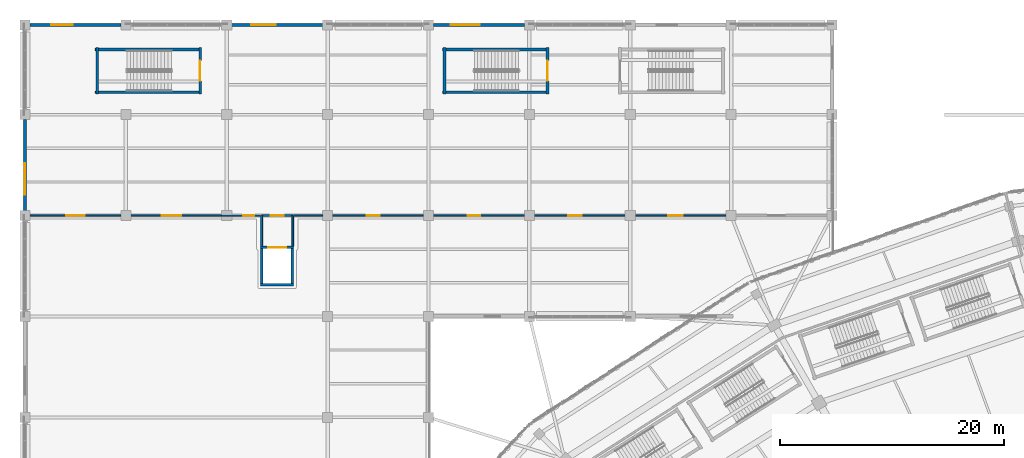
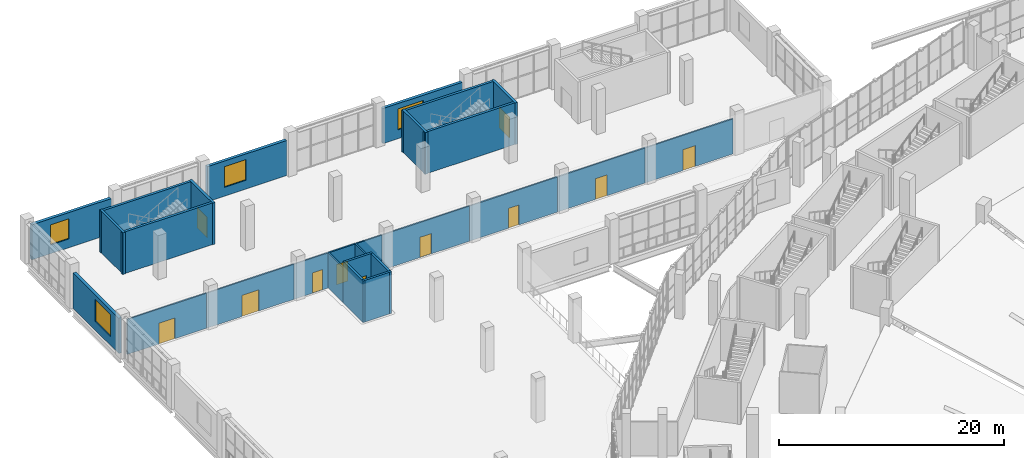
# One storey, part 108 of 183: 27 walls, 11 doors, 4 windows, 15 openings.
"""IFC4 building model written with IfcOpenShell, lengths in metres."""

from ifc_helpers import new_model, si_unit, direction, frame, frame_2d, origin, place, context, subcontext, project, spatial, rectangle, extrude, material, layer, layer_set, type_object, element, fill, save


model = new_model("IFC4")

# Units and contexts
model_context = context("Model", 3, precision=1e-05, world=origin(), true_north=direction((0.0, 1.0)))
body_context = subcontext(model_context, "Body", "Model", "MODEL_VIEW")
ifc_project = project(units=[si_unit("LENGTHUNIT", "METRE"), si_unit("AREAUNIT", "SQUARE_METRE"), si_unit("VOLUMEUNIT", "CUBIC_METRE"), si_unit("PLANEANGLEUNIT", "RADIAN"), si_unit("MASSUNIT", "GRAM", prefix="KILO")], contexts=[model_context])

# Site, building, storey
site_placement = place(None, origin())
site = spatial("IfcSite", under=ifc_project, at=site_placement, CompositionType="ELEMENT")
building_placement = place(site_placement, origin())
building = spatial("IfcBuilding", under=site, at=building_placement, Name="Zevraka Park Crest Stadium", CompositionType="ELEMENT")
storey_placement = place(building_placement, frame((0.0, 0.0, 5.39990234375)))
storey = spatial("IfcBuildingStorey", under=building, at=storey_placement, Name="L01", CompositionType="ELEMENT", Elevation=5.39990234375)

# Wall, opening, window
ifc_material_1 = material(Name="Limestone and red clay brick masonry", Category="masonry")
ifc_layer_1 = layer(ifc_material_1, 0.300048828125)
ifc_layer_set_1 = layer_set([ifc_layer_1], Name="Limestone and red clay brick masonry")
wall_type_1 = type_object("IfcWallType", Name="EW02", PredefinedType="STANDARD", material=ifc_layer_set_1)
wall_1_placement = place(storey_placement, frame((0.0, 167.425048828125, 0.0), z_axis=(0.0, 0.0, 1.0), x_axis=(0.0, 1.0, 0.0)))
wall_1 = element("IfcWall", 1, at=wall_1_placement, inside=storey, type_object=wall_type_1, Name="Wing External Cavity Wall EW02 L01-NW-W-7", PredefinedType="STANDARD", context=body_context, shape_type="SweptSolid", body=[
    extrude(rectangle(XDim=8.14990234375, YDim=0.300048828125, at=frame_2d((4.074951171875, 0.0))), origin(), (0.0, 0.0, 1.0), 3.837158203125),
])
opening_1_placement = place(wall_1_placement, frame((1.451904296875, 0.0, 0.949951171875)))
opening_1 = element("IfcOpeningElement", 2, at=opening_1_placement, cuts=wall_1, Name="Opening WN30", PredefinedType="OPENING", context=body_context, shape_type="SweptSolid", body=[
    extrude(rectangle(XDim=2.800048828125, YDim=2.39990234375, at=frame_2d((1.39990234375, 1.199951171875))), frame((0.0, 0.159912109375, 0.0), z_axis=(0.0, -1.0, 0.0), x_axis=(1.0, 0.0, 0.0)), (0.0, 0.0, 1.0), 0.320068359375),
])
ifc_material_2 = material(Name="Solar-control laminated double glazing in aluminium frame", Category="aluminium")
window_type_1 = type_object("IfcWindowType", Name="WN30", PartitioningType="SINGLE_PANEL", PredefinedType="WINDOW", material=ifc_material_2)
window_1_placement = place(opening_1_placement, origin())
window_1 = element("IfcWindow", 3, at=window_1_placement, inside=storey, type_object=window_type_1, Name="Facade Casement Window WN30 W-L01-030", OverallHeight=2.39990234375, OverallWidth=2.800048828125, PartitioningType="SINGLE_PANEL", PredefinedType="WINDOW", context=body_context, shape_type="SweptSolid", body=[
    extrude(rectangle(XDim=2.800048828125, YDim=2.39990234375, at=frame_2d((1.39990234375, 1.199951171875))), frame((0.0, 0.030029296875, 0.0), z_axis=(0.0, -1.0, 0.0), x_axis=(1.0, 0.0, 0.0)), (0.0, 0.0, 1.0), 0.06005859375),
])
fill(opening_1, window_1)

wall_2_placement = place(storey_placement, frame((0.425048828125, 184.0, 0.0), z_axis=(0.0, 0.0, 1.0), x_axis=(1.0, 0.0, 0.0)))
wall_2 = element("IfcWall", 4, at=wall_2_placement, inside=storey, type_object=wall_type_1, Name="Wing External Cavity Wall EW02 L01-NW-N-1", PredefinedType="STANDARD", context=body_context, shape_type="SweptSolid", body=[
    extrude(rectangle(XDim=8.14990234375, YDim=0.300048828125, at=frame_2d((4.074951171875, 0.0))), origin(), (0.0, 0.0, 1.0), 3.8037109375),
])
opening_2_placement = place(wall_2_placement, frame((1.89208984375, 0.0, 0.949951171875)))
opening_2 = element("IfcOpeningElement", 5, at=opening_2_placement, cuts=wall_2, Name="Opening WN39", PredefinedType="OPENING", context=body_context, shape_type="SweptSolid", body=[
    extrude(rectangle(XDim=1.919921875, YDim=2.179931640625, at=frame_2d((0.9599609375, 1.08984375))), frame((0.0, 0.159912109375, 0.0), z_axis=(0.0, -1.0, 0.0), x_axis=(1.0, 0.0, 0.0)), (0.0, 0.0, 1.0), 0.320068359375),
])
ifc_material_3 = material(Name="Solar-control laminated double glazing in aluminium frame", Category="aluminium")
window_type_2 = type_object("IfcWindowType", Name="WN39", PartitioningType="SINGLE_PANEL", PredefinedType="WINDOW", material=ifc_material_3)
window_2_placement = place(opening_2_placement, origin())
window_2 = element("IfcWindow", 6, at=window_2_placement, inside=storey, type_object=window_type_2, Name="Facade Casement Window WN39 W-L01-039", OverallHeight=2.179931640625, OverallWidth=1.919921875, PartitioningType="SINGLE_PANEL", PredefinedType="WINDOW", context=body_context, shape_type="SweptSolid", body=[
    extrude(rectangle(XDim=1.919921875, YDim=2.179931640625, at=frame_2d((0.9599609375, 1.08984375))), frame((0.0, 0.030029296875, 0.0), z_axis=(0.0, -1.0, 0.0), x_axis=(1.0, 0.0, 0.0)), (0.0, 0.0, 1.0), 0.06005859375),
])
fill(opening_2, window_2)

wall_3_placement = place(storey_placement, frame((18.425048828125, 184.0, 0.0), z_axis=(0.0, 0.0, 1.0), x_axis=(1.0, 0.0, 0.0)))
wall_3 = element("IfcWall", 7, at=wall_3_placement, inside=storey, type_object=wall_type_1, Name="Wing External Cavity Wall EW02 L01-NW-N-3", PredefinedType="STANDARD", context=body_context, shape_type="SweptSolid", body=[
    extrude(rectangle(XDim=8.14990234375, YDim=0.300048828125, at=frame_2d((4.074951171875, 0.0))), origin(), (0.0, 0.0, 1.0), 3.8037109375),
])
opening_3_placement = place(wall_3_placement, frame((1.741943359375, 0.0, 0.949951171875)))
opening_3 = element("IfcOpeningElement", 8, at=opening_3_placement, cuts=wall_3, Name="Opening WN40", PredefinedType="OPENING", context=body_context, shape_type="SweptSolid", body=[
    extrude(rectangle(XDim=2.219970703125, YDim=2.239990234375, at=frame_2d((1.10986328125, 1.1201171875))), frame((0.0, 0.159912109375, 0.0), z_axis=(0.0, -1.0, 0.0), x_axis=(1.0, 0.0, 0.0)), (0.0, 0.0, 1.0), 0.320068359375),
])
ifc_material_4 = material(Name="Solar-control laminated double glazing in aluminium frame", Category="aluminium")
window_type_3 = type_object("IfcWindowType", Name="WN40", PartitioningType="SINGLE_PANEL", PredefinedType="WINDOW", material=ifc_material_4)
window_3_placement = place(opening_3_placement, origin())
window_3 = element("IfcWindow", 9, at=window_3_placement, inside=storey, type_object=window_type_3, Name="Facade Casement Window WN40 W-L01-040", OverallHeight=2.239990234375, OverallWidth=2.219970703125, PartitioningType="SINGLE_PANEL", PredefinedType="WINDOW", context=body_context, shape_type="SweptSolid", body=[
    extrude(rectangle(XDim=2.219970703125, YDim=2.239990234375, at=frame_2d((1.10986328125, 1.1201171875))), frame((0.0, 0.030029296875, 0.0), z_axis=(0.0, -1.0, 0.0), x_axis=(1.0, 0.0, 0.0)), (0.0, 0.0, 1.0), 0.06005859375),
])
fill(opening_3, window_3)

wall_4_placement = place(storey_placement, frame((36.425048828125, 184.0, 0.0), z_axis=(0.0, 0.0, 1.0), x_axis=(1.0, 0.0, 0.0)))
wall_4 = element("IfcWall", 10, at=wall_4_placement, inside=storey, type_object=wall_type_1, Name="Wing External Cavity Wall EW02 L01-NW-N-5", PredefinedType="STANDARD", context=body_context, shape_type="SweptSolid", body=[
    extrude(rectangle(XDim=8.14990234375, YDim=0.300048828125, at=frame_2d((4.074951171875, 0.0))), origin(), (0.0, 0.0, 1.0), 3.8037109375),
])
opening_4_placement = place(wall_4_placement, frame((1.56298828125, 0.0, 0.949951171875)))
opening_4 = element("IfcOpeningElement", 11, at=opening_4_placement, cuts=wall_4, Name="Opening WN41", PredefinedType="OPENING", context=body_context, shape_type="SweptSolid", body=[
    extrude(rectangle(XDim=2.580078125, YDim=2.280029296875, at=frame_2d((1.2900390625, 1.14013671875))), frame((0.0, 0.159912109375, 0.0), z_axis=(0.0, -1.0, 0.0), x_axis=(1.0, 0.0, 0.0)), (0.0, 0.0, 1.0), 0.320068359375),
])
ifc_material_5 = material(Name="Solar-control laminated double glazing in aluminium frame", Category="aluminium")
window_type_4 = type_object("IfcWindowType", Name="WN41", PartitioningType="SINGLE_PANEL", PredefinedType="WINDOW", material=ifc_material_5)
window_4_placement = place(opening_4_placement, origin())
window_4 = element("IfcWindow", 12, at=window_4_placement, inside=storey, type_object=window_type_4, Name="Facade Casement Window WN41 W-L01-041", OverallHeight=2.280029296875, OverallWidth=2.580078125, PartitioningType="SINGLE_PANEL", PredefinedType="WINDOW", context=body_context, shape_type="SweptSolid", body=[
    extrude(rectangle(XDim=2.580078125, YDim=2.280029296875, at=frame_2d((1.2900390625, 1.14013671875))), frame((0.0, 0.030029296875, 0.0), z_axis=(0.0, -1.0, 0.0), x_axis=(1.0, 0.0, 0.0)), (0.0, 0.0, 1.0), 0.06005859375),
])
fill(opening_4, window_4)

# Walls
ifc_material_6 = material(Name="Fire-rated twin-stud acoustic drywall", Category="other")
ifc_layer_2 = layer(ifc_material_6, 0.159912109375)
ifc_layer_set_2 = layer_set([ifc_layer_2], Name="Fire-rated twin-stud acoustic drywall")
wall_type_2 = type_object("IfcWallType", Name="IW02", PredefinedType="PARTITIONING", material=ifc_layer_set_2)
for number, where, z_axis, x_axis, name in (
    (13, (23.889892578125, 164.25, 0.0), (0.0, 0.0, 1.0), (0.0, 1.0, 0.0), "Goods Lift Lobby Wall IW02 GL01 L01 LEFT"),
    (14, (21.110107421875, 164.25, 0.0), (0.0, 0.0, 1.0), (0.0, 1.0, 0.0), "Goods Lift Lobby Wall IW02 GL01 L01 RIGHT"),
):
    element("IfcWall", number, at=place(storey_placement, frame(where, z_axis=z_axis, x_axis=x_axis)), inside=storey, type_object=wall_type_2, Name=name, PredefinedType="PARTITIONING", context=body_context, shape_type="SweptSolid", body=[
        extrude(rectangle(XDim=2.75, YDim=0.159912109375, at=frame_2d((1.375, 0.0))), origin(), (0.0, 0.0, 1.0), 3.8037109375),
    ])

# Wall, opening, door
wall_5_placement = place(storey_placement, frame((23.889892578125, 167.0, 0.0), z_axis=(0.0, 0.0, 1.0), x_axis=(-1.0, 0.0, 0.0)))
wall_5 = element("IfcWall", 15, at=wall_5_placement, inside=storey, type_object=wall_type_2, Name="Goods Lift Lobby Wall IW02 GL01 L01 FRONT", PredefinedType="PARTITIONING", context=body_context, shape_type="SweptSolid", body=[
    extrude(rectangle(XDim=2.77978515625, YDim=0.159912109375, at=frame_2d((1.389892578125, 0.0))), origin(), (0.0, 0.0, 1.0), 3.8037109375),
])
opening_5_placement = place(wall_5_placement, frame((0.81494140625, 0.0, 0.0)))
opening_5 = element("IfcOpeningElement", 16, at=opening_5_placement, cuts=wall_5, Name="Opening D-L01-330", PredefinedType="OPENING", context=body_context, shape_type="SweptSolid", body=[
    extrude(rectangle(XDim=1.14990234375, YDim=2.199951171875, at=frame_2d((0.574951171875, 1.10009765625))), frame((0.0, 0.08984375, 0.0), z_axis=(0.0, -1.0, 0.0), x_axis=(1.0, 0.0, 0.0)), (0.0, 0.0, 1.0), 0.179931640625),
])
ifc_material_7 = material(Name="Solid-core hardwood timber leaf in steel frame", Category="steel")
door_type_1 = type_object("IfcDoorType", Name="DR03", OperationType="NOTDEFINED", PredefinedType="DOOR", material=ifc_material_7)
door_1_placement = place(opening_5_placement, origin())
door_1 = element("IfcDoor", 17, at=door_1_placement, inside=storey, type_object=door_type_1, Name="Goods Lift Lobby GL01 Door D-L01-330", OperationType="SINGLE_SWING_RIGHT", OverallHeight=2.199951171875, OverallWidth=1.14990234375, PredefinedType="DOOR", context=body_context, shape_type="SweptSolid", body=[
    extrude(rectangle(XDim=1.14990234375, YDim=2.199951171875, at=frame_2d((0.574951171875, 1.10009765625))), frame((0.0, 0.02490234375, 0.0), z_axis=(0.0, -1.0, 0.0), x_axis=(1.0, 0.0, 0.0)), (0.0, 0.0, 1.0), 0.050048828125),
])
fill(opening_5, door_1)

ifc_material_8 = material(Name="Fire-rated twin-stud acoustic drywall", Category="other")
ifc_layer_3 = layer(ifc_material_8, 0.139892578125)
ifc_layer_set_3 = layer_set([ifc_layer_3], Name="Fire-rated twin-stud acoustic drywall")
wall_type_3 = type_object("IfcWallType", Name="IW03", PredefinedType="PARTITIONING", material=ifc_layer_set_3)
wall_6_placement = place(storey_placement, frame((0.43505859375, 167.0, 0.0), z_axis=(0.0, 0.0, 1.0), x_axis=(1.0, 0.0, 0.0)))
wall_6 = element("IfcWall", 18, at=wall_6_placement, inside=storey, type_object=wall_type_3, Name="Interior Partition IW03 Sports Heritage Exhibition Gallery L01", PredefinedType="PARTITIONING", context=body_context, shape_type="SweptSolid", body=[
    extrude(rectangle(XDim=8.1298828125, YDim=0.139892578125, at=frame_2d((4.06494140625, 0.0))), origin(), (0.0, 0.0, 1.0), 3.8037109375),
])
opening_6_placement = place(wall_6_placement, frame((3.239990234375, 0.0, 0.0)))
opening_6 = element("IfcOpeningElement", 19, at=opening_6_placement, cuts=wall_6, Name="Opening D-L01-383", PredefinedType="OPENING", context=body_context, shape_type="SweptSolid", body=[
    extrude(rectangle(XDim=1.64990234375, YDim=2.25, at=frame_2d((0.824951171875, 1.125))), frame((0.0, 0.079833984375, 0.0), z_axis=(0.0, -1.0, 0.0), x_axis=(1.0, 0.0, 0.0)), (0.0, 0.0, 1.0), 0.159912109375),
])
ifc_material_9 = material(Name="Solid-core hardwood timber leaf in steel frame", Category="steel")
door_type_2 = type_object("IfcDoorType", Name="DR26", OperationType="NOTDEFINED", PredefinedType="DOOR", material=ifc_material_9)
door_2_placement = place(opening_6_placement, origin())
door_2 = element("IfcDoor", 20, at=door_2_placement, inside=storey, type_object=door_type_2, Name="Sports Heritage Exhibition Gallery Door D-L01-383", OperationType="DOUBLE_DOOR_SINGLE_SWING", OverallHeight=2.25, OverallWidth=1.64990234375, PredefinedType="DOOR", context=body_context, shape_type="SweptSolid", body=[
    extrude(rectangle(XDim=1.64990234375, YDim=2.25, at=frame_2d((0.824951171875, 1.125))), frame((0.0, 0.02490234375, 0.0), z_axis=(0.0, -1.0, 0.0), x_axis=(1.0, 0.0, 0.0)), (0.0, 0.0, 1.0), 0.050048828125),
])
fill(opening_6, door_2)

wall_7_placement = place(storey_placement, frame((8.550048828125, 167.0, 0.0), z_axis=(0.0, 0.0, 1.0), x_axis=(1.0, 0.0, 0.0)))
wall_7 = element("IfcWall", 21, at=wall_7_placement, inside=storey, type_object=wall_type_3, Name="Interior Partition IW03 Sports Heritage Exhibition Gallery L01", PredefinedType="PARTITIONING", context=body_context, shape_type="SweptSolid", body=[
    extrude(rectangle(XDim=9.014892578125, YDim=0.139892578125, at=frame_2d((4.50732421875, 0.0))), origin(), (0.0, 0.0, 1.0), 3.8037109375),
])
opening_7_placement = place(wall_7_placement, frame((3.633056640625, 0.0, 0.0)))
opening_7 = element("IfcOpeningElement", 22, at=opening_7_placement, cuts=wall_7, Name="Opening D-L01-384", PredefinedType="OPENING", context=body_context, shape_type="SweptSolid", body=[
    extrude(rectangle(XDim=1.75, YDim=2.300048828125, at=frame_2d((0.875, 1.14990234375))), frame((0.0, 0.079833984375, 0.0), z_axis=(0.0, -1.0, 0.0), x_axis=(1.0, 0.0, 0.0)), (0.0, 0.0, 1.0), 0.159912109375),
])
ifc_material_10 = material(Name="Solid-core hardwood timber leaf in steel frame", Category="steel")
door_type_3 = type_object("IfcDoorType", Name="DR27", OperationType="NOTDEFINED", PredefinedType="DOOR", material=ifc_material_10)
door_3_placement = place(opening_7_placement, origin())
door_3 = element("IfcDoor", 23, at=door_3_placement, inside=storey, type_object=door_type_3, Name="Sports Heritage Exhibition Gallery Door D-L01-384", OperationType="DOUBLE_DOOR_SINGLE_SWING", OverallHeight=2.300048828125, OverallWidth=1.75, PredefinedType="DOOR", context=body_context, shape_type="SweptSolid", body=[
    extrude(rectangle(XDim=1.75, YDim=2.300048828125, at=frame_2d((0.875, 1.14990234375))), frame((0.0, 0.02490234375, 0.0), z_axis=(0.0, -1.0, 0.0), x_axis=(1.0, 0.0, 0.0)), (0.0, 0.0, 1.0), 0.050048828125),
])
fill(opening_7, door_3)

wall_8_placement = place(storey_placement, frame((17.550048828125, 167.0, 0.0), z_axis=(0.0, 0.0, 1.0), x_axis=(1.0, 0.0, 0.0)))
wall_8 = element("IfcWall", 24, at=wall_8_placement, inside=storey, type_object=wall_type_3, Name="Interior Partition IW03 Sports Heritage Exhibition Gallery L01", PredefinedType="PARTITIONING", context=body_context, shape_type="SweptSolid", body=[
    extrude(rectangle(XDim=3.47998046875, YDim=0.139892578125, at=frame_2d((1.739990234375, 0.0))), origin(), (0.0, 0.0, 1.0), 3.8037109375),
])
opening_8_placement = place(wall_8_placement, frame((1.903076171875, 0.0, 0.0)))
opening_8 = element("IfcOpeningElement", 25, at=opening_8_placement, cuts=wall_8, Name="Opening D-L01-385", PredefinedType="OPENING", context=body_context, shape_type="SweptSolid", body=[
    extrude(rectangle(XDim=1.02001953125, YDim=2.199951171875, at=frame_2d((0.510009765625, 1.10009765625))), frame((0.0, 0.079833984375, 0.0), z_axis=(0.0, -1.0, 0.0), x_axis=(1.0, 0.0, 0.0)), (0.0, 0.0, 1.0), 0.159912109375),
])
ifc_material_11 = material(Name="Solid-core hardwood timber leaf in steel frame", Category="steel")
door_type_4 = type_object("IfcDoorType", Name="DR21", OperationType="NOTDEFINED", PredefinedType="DOOR", material=ifc_material_11)
door_4_placement = place(opening_8_placement, origin())
door_4 = element("IfcDoor", 26, at=door_4_placement, inside=storey, type_object=door_type_4, Name="Sports Heritage Exhibition Gallery Door D-L01-385", OperationType="SINGLE_SWING_LEFT", OverallHeight=2.199951171875, OverallWidth=1.02001953125, PredefinedType="DOOR", context=body_context, shape_type="SweptSolid", body=[
    extrude(rectangle(XDim=1.02001953125, YDim=2.199951171875, at=frame_2d((0.510009765625, 1.10009765625))), frame((0.0, 0.02490234375, 0.0), z_axis=(0.0, -1.0, 0.0), x_axis=(1.0, 0.0, 0.0)), (0.0, 0.0, 1.0), 0.050048828125),
])
fill(opening_8, door_4)

# Wall
wall_9_placement = place(storey_placement, frame((23.969970703125, 167.0, 0.0), z_axis=(0.0, 0.0, 1.0), x_axis=(1.0, 0.0, 0.0)))
element("IfcWall", 27, at=wall_9_placement, inside=storey, type_object=wall_type_3, Name="Interior Partition IW03 Sports Heritage Exhibition Gallery L01", PredefinedType="PARTITIONING", context=body_context, shape_type="SweptSolid", body=[
    extrude(rectangle(XDim=2.594970703125, YDim=0.139892578125, at=frame_2d((1.29736328125, 0.0))), origin(), (0.0, 0.0, 1.0), 3.8037109375),
])

# Wall, opening, door
wall_10_placement = place(storey_placement, frame((26.550048828125, 167.0, 0.0), z_axis=(0.0, 0.0, 1.0), x_axis=(1.0, 0.0, 0.0)))
wall_10 = element("IfcWall", 28, at=wall_10_placement, inside=storey, type_object=wall_type_3, Name="Interior Partition IW03 Sports Heritage Exhibition Gallery L01", PredefinedType="PARTITIONING", context=body_context, shape_type="SweptSolid", body=[
    extrude(rectangle(XDim=9.014892578125, YDim=0.139892578125, at=frame_2d((4.50732421875, 0.0))), origin(), (0.0, 0.0, 1.0), 3.8037109375),
])
opening_9_placement = place(wall_10_placement, frame((3.931884765625, 0.0, 0.0)))
opening_9 = element("IfcOpeningElement", 29, at=opening_9_placement, cuts=wall_10, Name="Opening D-L01-386", PredefinedType="OPENING", context=body_context, shape_type="SweptSolid", body=[
    extrude(rectangle(XDim=1.14990234375, YDim=2.199951171875, at=frame_2d((0.574951171875, 1.10009765625))), frame((0.0, 0.079833984375, 0.0), z_axis=(0.0, -1.0, 0.0), x_axis=(1.0, 0.0, 0.0)), (0.0, 0.0, 1.0), 0.159912109375),
])
door_5_placement = place(opening_9_placement, origin())
door_5 = element("IfcDoor", 30, at=door_5_placement, inside=storey, type_object=door_type_1, Name="Sports Heritage Exhibition Gallery Door D-L01-386", OperationType="SINGLE_SWING_RIGHT", OverallHeight=2.199951171875, OverallWidth=1.14990234375, PredefinedType="DOOR", context=body_context, shape_type="SweptSolid", body=[
    extrude(rectangle(XDim=1.14990234375, YDim=2.199951171875, at=frame_2d((0.574951171875, 1.10009765625))), frame((0.0, 0.02490234375, 0.0), z_axis=(0.0, -1.0, 0.0), x_axis=(1.0, 0.0, 0.0)), (0.0, 0.0, 1.0), 0.050048828125),
])
fill(opening_9, door_5)

wall_11_placement = place(storey_placement, frame((35.550048828125, 167.0, 0.0), z_axis=(0.0, 0.0, 1.0), x_axis=(1.0, 0.0, 0.0)))
wall_11 = element("IfcWall", 31, at=wall_11_placement, inside=storey, type_object=wall_type_3, Name="Interior Partition IW03 Sports Heritage Exhibition Gallery L01", PredefinedType="PARTITIONING", context=body_context, shape_type="SweptSolid", body=[
    extrude(rectangle(XDim=9.014892578125, YDim=0.139892578125, at=frame_2d((4.50732421875, 0.0))), origin(), (0.0, 0.0, 1.0), 3.8037109375),
])
opening_10_placement = place(wall_11_placement, frame((3.9580078125, 0.0, 0.0)))
opening_10 = element("IfcOpeningElement", 32, at=opening_10_placement, cuts=wall_11, Name="Opening D-L01-387", PredefinedType="OPENING", context=body_context, shape_type="SweptSolid", body=[
    extrude(rectangle(XDim=1.10009765625, YDim=2.14990234375, at=frame_2d((0.550048828125, 1.074951171875))), frame((0.0, 0.079833984375, 0.0), z_axis=(0.0, -1.0, 0.0), x_axis=(1.0, 0.0, 0.0)), (0.0, 0.0, 1.0), 0.159912109375),
])
ifc_material_12 = material(Name="Solid-core hardwood timber leaf in steel frame", Category="steel")
door_type_5 = type_object("IfcDoorType", Name="DR10", OperationType="NOTDEFINED", PredefinedType="DOOR", material=ifc_material_12)
door_6_placement = place(opening_10_placement, origin())
door_6 = element("IfcDoor", 33, at=door_6_placement, inside=storey, type_object=door_type_5, Name="Sports Heritage Exhibition Gallery Door D-L01-387", OperationType="SINGLE_SWING_LEFT", OverallHeight=2.14990234375, OverallWidth=1.10009765625, PredefinedType="DOOR", context=body_context, shape_type="SweptSolid", body=[
    extrude(rectangle(XDim=1.10009765625, YDim=2.14990234375, at=frame_2d((0.550048828125, 1.074951171875))), frame((0.0, 0.02490234375, 0.0), z_axis=(0.0, -1.0, 0.0), x_axis=(1.0, 0.0, 0.0)), (0.0, 0.0, 1.0), 0.050048828125),
])
fill(opening_10, door_6)

wall_12_placement = place(storey_placement, frame((44.550048828125, 167.0, 0.0), z_axis=(0.0, 0.0, 1.0), x_axis=(1.0, 0.0, 0.0)))
wall_12 = element("IfcWall", 34, at=wall_12_placement, inside=storey, type_object=wall_type_3, Name="Interior Partition IW03 Sports Heritage Exhibition Gallery L01", PredefinedType="PARTITIONING", context=body_context, shape_type="SweptSolid", body=[
    extrude(rectangle(XDim=9.014892578125, YDim=0.139892578125, at=frame_2d((4.50732421875, 0.0))), origin(), (0.0, 0.0, 1.0), 3.8037109375),
])
opening_11_placement = place(wall_12_placement, frame((3.907958984375, 0.0, 0.0)))
opening_11 = element("IfcOpeningElement", 35, at=opening_11_placement, cuts=wall_12, Name="Opening D-L01-388", PredefinedType="OPENING", context=body_context, shape_type="SweptSolid", body=[
    extrude(rectangle(XDim=1.199951171875, YDim=2.25, at=frame_2d((0.60009765625, 1.125))), frame((0.0, 0.079833984375, 0.0), z_axis=(0.0, -1.0, 0.0), x_axis=(1.0, 0.0, 0.0)), (0.0, 0.0, 1.0), 0.159912109375),
])
ifc_material_13 = material(Name="Solid-core hardwood timber leaf in steel frame", Category="steel")
door_type_6 = type_object("IfcDoorType", Name="DR11", OperationType="NOTDEFINED", PredefinedType="DOOR", material=ifc_material_13)
door_7_placement = place(opening_11_placement, origin())
door_7 = element("IfcDoor", 36, at=door_7_placement, inside=storey, type_object=door_type_6, Name="Sports Heritage Exhibition Gallery Door D-L01-388", OperationType="SINGLE_SWING_RIGHT", OverallHeight=2.25, OverallWidth=1.199951171875, PredefinedType="DOOR", context=body_context, shape_type="SweptSolid", body=[
    extrude(rectangle(XDim=1.199951171875, YDim=2.25, at=frame_2d((0.60009765625, 1.125))), frame((0.0, 0.02490234375, 0.0), z_axis=(0.0, -1.0, 0.0), x_axis=(1.0, 0.0, 0.0)), (0.0, 0.0, 1.0), 0.050048828125),
])
fill(opening_11, door_7)

wall_13_placement = place(storey_placement, frame((53.550048828125, 167.0, 0.0), z_axis=(0.0, 0.0, 1.0), x_axis=(1.0, 0.0, 0.0)))
wall_13 = element("IfcWall", 37, at=wall_13_placement, inside=storey, type_object=wall_type_3, Name="Interior Partition IW03 Sports Heritage Exhibition Gallery L01", PredefinedType="PARTITIONING", context=body_context, shape_type="SweptSolid", body=[
    extrude(rectangle(XDim=9.014892578125, YDim=0.139892578125, at=frame_2d((4.50732421875, 0.0))), origin(), (0.0, 0.0, 1.0), 3.8037109375),
])
opening_12_placement = place(wall_13_placement, frame((3.85791015625, 0.0, 0.0)))
opening_12 = element("IfcOpeningElement", 38, at=opening_12_placement, cuts=wall_13, Name="Opening D-L01-389", PredefinedType="OPENING", context=body_context, shape_type="SweptSolid", body=[
    extrude(rectangle(XDim=1.300048828125, YDim=2.25, at=frame_2d((0.64990234375, 1.125))), frame((0.0, 0.079833984375, 0.0), z_axis=(0.0, -1.0, 0.0), x_axis=(1.0, 0.0, 0.0)), (0.0, 0.0, 1.0), 0.159912109375),
])
ifc_material_14 = material(Name="Solid-core hardwood timber leaf in steel frame", Category="steel")
door_type_7 = type_object("IfcDoorType", Name="DR12", OperationType="NOTDEFINED", PredefinedType="DOOR", material=ifc_material_14)
door_8_placement = place(opening_12_placement, origin())
door_8 = element("IfcDoor", 39, at=door_8_placement, inside=storey, type_object=door_type_7, Name="Sports Heritage Exhibition Gallery Door D-L01-389", OperationType="SINGLE_SWING_LEFT", OverallHeight=2.25, OverallWidth=1.300048828125, PredefinedType="DOOR", context=body_context, shape_type="SweptSolid", body=[
    extrude(rectangle(XDim=1.300048828125, YDim=2.25, at=frame_2d((0.64990234375, 1.125))), frame((0.0, 0.02490234375, 0.0), z_axis=(0.0, -1.0, 0.0), x_axis=(1.0, 0.0, 0.0)), (0.0, 0.0, 1.0), 0.050048828125),
])
fill(opening_12, door_8)

# Walls
ifc_material_15 = material(Name="Concrete C40/50", Category="concrete")
ifc_layer_4 = layer(ifc_material_15, 0.25)
ifc_layer_set_4 = layer_set([ifc_layer_4], Name="Concrete C40/50")
wall_type_4 = type_object("IfcWallType", Name="SW01", PredefinedType="SHEAR", material=ifc_layer_set_4)
for number, where, z_axis, x_axis, name in (
    (40, (15.75, 181.830078125, 0.0), (0.0, 0.0, 1.0), (-1.0, 0.0, 0.0), "Stair Core Shear Wall SW01 ST47 L01 left"),
    (41, (6.25, 178.010009765625, 0.0), (0.0, 0.0, 1.0), (1.0, 0.0, 0.0), "Stair Core Shear Wall SW01 ST47 L01 right"),
):
    element("IfcWall", number, at=place(storey_placement, frame(where, z_axis=z_axis, x_axis=x_axis)), inside=storey, type_object=wall_type_4, Name=name, PredefinedType="SHEAR", context=body_context, shape_type="SweptSolid", body=[
        extrude(rectangle(XDim=9.5, YDim=0.25, at=frame_2d((4.75, 0.0))), origin(), (0.0, 0.0, 1.0), 4.52001953125),
    ])

# Wall, opening, door
wall_14_placement = place(storey_placement, frame((15.625, 177.840087890625, 0.0), z_axis=(0.0, 0.0, 1.0), x_axis=(0.0, 1.0, 0.0)))
wall_14 = element("IfcWall", 42, at=wall_14_placement, inside=storey, type_object=wall_type_4, Name="Stair Core Shear Wall SW01 ST47 L01 near", PredefinedType="SHEAR", context=body_context, shape_type="SweptSolid", body=[
    extrude(rectangle(XDim=4.159912109375, YDim=0.25, at=frame_2d((2.080078125, 0.0))), origin(), (0.0, 0.0, 1.0), 4.52001953125),
])
opening_13_placement = place(wall_14_placement, frame((1.179931640625, 0.0, 0.0)))
opening_13 = element("IfcOpeningElement", 43, at=opening_13_placement, cuts=wall_14, Name="Opening D-L01-245", PredefinedType="OPENING", context=body_context, shape_type="SweptSolid", body=[
    extrude(rectangle(XDim=1.800048828125, YDim=2.25, at=frame_2d((0.89990234375, 1.125))), frame((0.0, 0.135009765625, 0.0), z_axis=(0.0, -1.0, 0.0), x_axis=(1.0, 0.0, 0.0)), (0.0, 0.0, 1.0), 0.27001953125),
])
ifc_material_16 = material(Name="Solid-core hardwood timber leaf in steel frame", Category="steel")
door_type_8 = type_object("IfcDoorType", Name="DR04", OperationType="NOTDEFINED", PredefinedType="DOOR", material=ifc_material_16)
door_9_placement = place(opening_13_placement, origin())
door_9 = element("IfcDoor", 44, at=door_9_placement, inside=storey, type_object=door_type_8, Name="Protected Stair Entry Door ST47 L01", OperationType="DOUBLE_DOOR_SINGLE_SWING", OverallHeight=2.25, OverallWidth=1.800048828125, PredefinedType="DOOR", context=body_context, shape_type="SweptSolid", body=[
    extrude(rectangle(XDim=1.800048828125, YDim=2.25, at=frame_2d((0.89990234375, 1.125))), frame((0.0, 0.02490234375, 0.0), z_axis=(0.0, -1.0, 0.0), x_axis=(1.0, 0.0, 0.0)), (0.0, 0.0, 1.0), 0.050048828125),
])
fill(opening_13, door_9)

# Walls
wall_15_placement = place(storey_placement, frame((6.43505859375, 182.0, 0.0), z_axis=(0.0, 0.0, 1.0), x_axis=(0.0, -1.0, 0.0)))
element("IfcWall", 45, at=wall_15_placement, inside=storey, type_object=wall_type_4, Name="Stair Core Shear Wall SW01 ST47 L01 far", PredefinedType="SHEAR", context=body_context, shape_type="SweptSolid", body=[
    extrude(rectangle(XDim=4.159912109375, YDim=0.25, at=frame_2d((2.080078125, 0.0))), origin(), (0.0, 0.0, 1.0), 4.52001953125),
])
for number, where, z_axis, x_axis, name in (
    (46, (46.75, 181.830078125, 0.0), (0.0, 0.0, 1.0), (-1.0, 0.0, 0.0), "Stair Core Shear Wall SW01 ST49 L01 left"),
    (47, (37.25, 178.010009765625, 0.0), (0.0, 0.0, 1.0), (1.0, 0.0, 0.0), "Stair Core Shear Wall SW01 ST49 L01 right"),
):
    element("IfcWall", number, at=place(storey_placement, frame(where, z_axis=z_axis, x_axis=x_axis)), inside=storey, type_object=wall_type_4, Name=name, PredefinedType="SHEAR", context=body_context, shape_type="SweptSolid", body=[
        extrude(rectangle(XDim=9.5, YDim=0.25, at=frame_2d((4.75, 0.0))), origin(), (0.0, 0.0, 1.0), 4.52001953125),
    ])

# Wall, opening, door
wall_16_placement = place(storey_placement, frame((46.625, 177.840087890625, 0.0), z_axis=(0.0, 0.0, 1.0), x_axis=(0.0, 1.0, 0.0)))
wall_16 = element("IfcWall", 48, at=wall_16_placement, inside=storey, type_object=wall_type_4, Name="Stair Core Shear Wall SW01 ST49 L01 near", PredefinedType="SHEAR", context=body_context, shape_type="SweptSolid", body=[
    extrude(rectangle(XDim=4.159912109375, YDim=0.25, at=frame_2d((2.080078125, 0.0))), origin(), (0.0, 0.0, 1.0), 4.52001953125),
])
opening_14_placement = place(wall_16_placement, frame((1.179931640625, 0.0, 0.0)))
opening_14 = element("IfcOpeningElement", 49, at=opening_14_placement, cuts=wall_16, Name="Opening D-L01-255", PredefinedType="OPENING", context=body_context, shape_type="SweptSolid", body=[
    extrude(rectangle(XDim=1.800048828125, YDim=2.25, at=frame_2d((0.89990234375, 1.125))), frame((0.0, 0.135009765625, 0.0), z_axis=(0.0, -1.0, 0.0), x_axis=(1.0, 0.0, 0.0)), (0.0, 0.0, 1.0), 0.27001953125),
])
door_10_placement = place(opening_14_placement, origin())
door_10 = element("IfcDoor", 50, at=door_10_placement, inside=storey, type_object=door_type_8, Name="Protected Stair Entry Door ST49 L01", OperationType="DOUBLE_DOOR_SINGLE_SWING", OverallHeight=2.25, OverallWidth=1.800048828125, PredefinedType="DOOR", context=body_context, shape_type="SweptSolid", body=[
    extrude(rectangle(XDim=1.800048828125, YDim=2.25, at=frame_2d((0.89990234375, 1.125))), frame((0.0, 0.02490234375, 0.0), z_axis=(0.0, -1.0, 0.0), x_axis=(1.0, 0.0, 0.0)), (0.0, 0.0, 1.0), 0.050048828125),
])
fill(opening_14, door_10)

# Walls
wall_17_placement = place(storey_placement, frame((37.43505859375, 182.0, 0.0), z_axis=(0.0, 0.0, 1.0), x_axis=(0.0, -1.0, 0.0)))
element("IfcWall", 51, at=wall_17_placement, inside=storey, type_object=wall_type_4, Name="Stair Core Shear Wall SW01 ST49 L01 far", PredefinedType="SHEAR", context=body_context, shape_type="SweptSolid", body=[
    extrude(rectangle(XDim=4.159912109375, YDim=0.25, at=frame_2d((2.080078125, 0.0))), origin(), (0.0, 0.0, 1.0), 4.52001953125),
])
ifc_material_17 = material(Name="Concrete C40/50", Category="concrete")
ifc_layer_5 = layer(ifc_material_17, 0.219970703125)
ifc_layer_set_5 = layer_set([ifc_layer_5], Name="Concrete C40/50")
wall_type_5 = type_object("IfcWallType", Name="SW02", PredefinedType="SHEAR", material=ifc_layer_set_5)
wall_18_placement = place(storey_placement, frame((21.030029296875, 160.840087890625, 0.0), z_axis=(0.0, 0.0, 1.0), x_axis=(1.0, 0.0, 0.0)))
element("IfcWall", 52, at=wall_18_placement, inside=storey, type_object=wall_type_5, Name="Lift Shaft Shear Wall SW02 GL01 L01-1", PredefinedType="SHEAR", context=body_context, shape_type="SweptSolid", body=[
    extrude(rectangle(XDim=2.93994140625, YDim=0.219970703125, at=frame_2d((1.469970703125, 0.0))), origin(), (0.0, 0.0, 1.0), 4.52001953125),
])
wall_19_placement = place(storey_placement, frame((23.860107421875, 160.72998046875, 0.0), z_axis=(0.0, 0.0, 1.0), x_axis=(0.0, 1.0, 0.0)))
element("IfcWall", 53, at=wall_19_placement, inside=storey, type_object=wall_type_5, Name="Lift Shaft Shear Wall SW02 GL01 L01-2", PredefinedType="SHEAR", context=body_context, shape_type="SweptSolid", body=[
    extrude(rectangle(XDim=3.5400390625, YDim=0.219970703125, at=frame_2d((1.77001953125, 0.0))), origin(), (0.0, 0.0, 1.0), 4.52001953125),
])

# Wall, opening, door
wall_20_placement = place(storey_placement, frame((23.969970703125, 164.159912109375, 0.0), z_axis=(0.0, 0.0, 1.0), x_axis=(-1.0, 0.0, 0.0)))
wall_20 = element("IfcWall", 54, at=wall_20_placement, inside=storey, type_object=wall_type_5, Name="Lift Shaft Shear Wall SW02 GL01 L01-3", PredefinedType="SHEAR", context=body_context, shape_type="SweptSolid", body=[
    extrude(rectangle(XDim=2.93994140625, YDim=0.219970703125, at=frame_2d((1.469970703125, 0.0))), origin(), (0.0, 0.0, 1.0), 4.52001953125),
])
opening_15_placement = place(wall_20_placement, frame((0.669921875, 0.0, 0.0)))
opening_15 = element("IfcOpeningElement", 55, at=opening_15_placement, cuts=wall_20, Name="Opening LD-GL01-L01", PredefinedType="OPENING", context=body_context, shape_type="SweptSolid", body=[
    extrude(rectangle(XDim=1.60009765625, YDim=2.300048828125, at=frame_2d((0.800048828125, 1.14990234375))), frame((0.0, 0.119873046875, 0.0), z_axis=(0.0, -1.0, 0.0), x_axis=(1.0, 0.0, 0.0)), (0.0, 0.0, 1.0), 0.239990234375),
])
ifc_material_18 = material(Name="Brushed stainless steel lift landing doors", Category="steel")
door_type_9 = type_object("IfcDoorType", Name="LD03", OperationType="NOTDEFINED", PredefinedType="DOOR", material=ifc_material_18)
door_11_placement = place(opening_15_placement, origin())
door_11 = element("IfcDoor", 56, at=door_11_placement, inside=storey, type_object=door_type_9, Name="Lift Sliding Landing Door LD-GL01-L01", OperationType="SLIDING_TO_LEFT", OverallHeight=2.300048828125, OverallWidth=1.60009765625, PredefinedType="DOOR", context=body_context, shape_type="SweptSolid", body=[
    extrude(rectangle(XDim=1.60009765625, YDim=2.300048828125, at=frame_2d((0.800048828125, 1.14990234375))), frame((0.0, 0.02490234375, 0.0), z_axis=(0.0, -1.0, 0.0), x_axis=(1.0, 0.0, 0.0)), (0.0, 0.0, 1.0), 0.050048828125),
])
fill(opening_15, door_11)

# Wall
wall_21_placement = place(storey_placement, frame((21.139892578125, 164.27001953125, 0.0), z_axis=(0.0, 0.0, 1.0), x_axis=(0.0, -1.0, 0.0)))
element("IfcWall", 57, at=wall_21_placement, inside=storey, type_object=wall_type_5, Name="Lift Shaft Shear Wall SW02 GL01 L01-4", PredefinedType="SHEAR", context=body_context, shape_type="SweptSolid", body=[
    extrude(rectangle(XDim=3.5400390625, YDim=0.219970703125, at=frame_2d((1.77001953125, 0.0))), origin(), (0.0, 0.0, 1.0), 4.52001953125),
])

save(model, "model.ifc")
